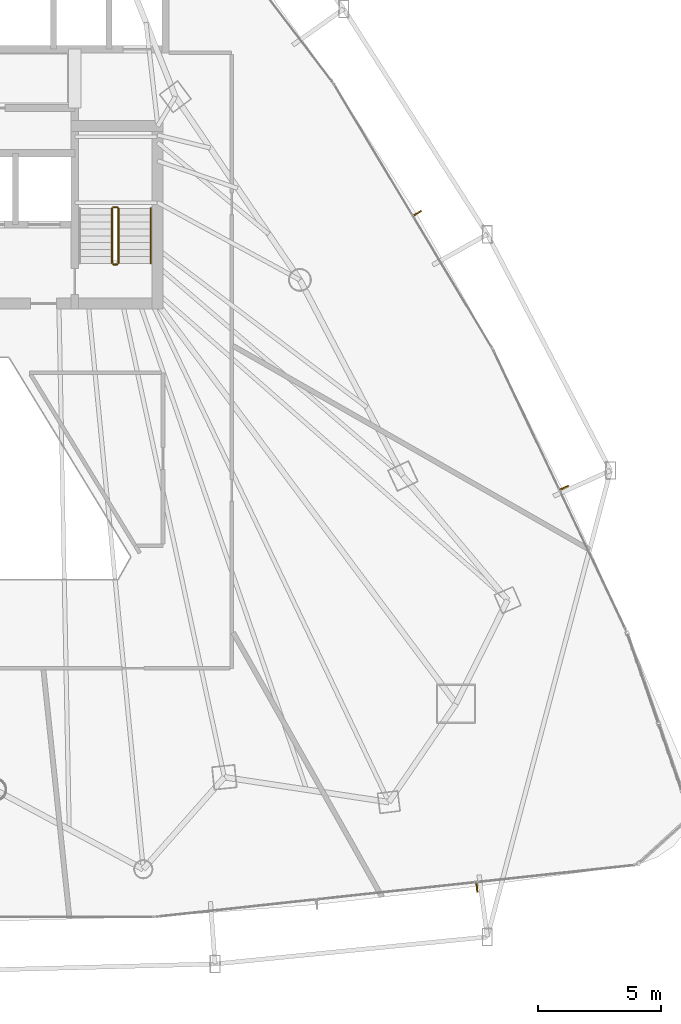
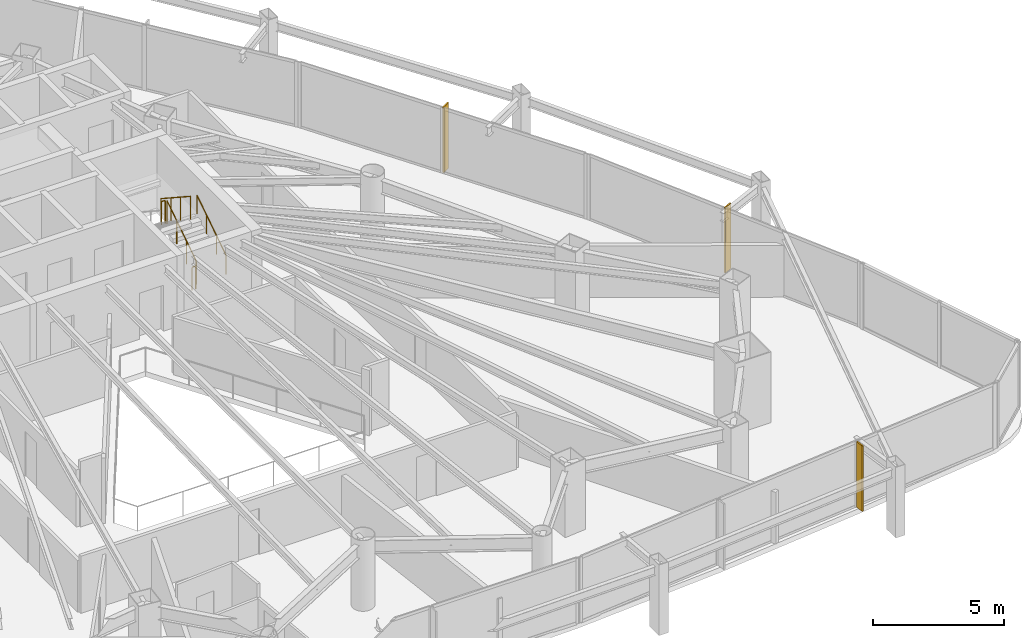
# One storey, part 36 of 37: 5 railings, 3 shading devices.
"""IFC4 building model written with IfcOpenShell, lengths in metres."""

from ifc_helpers import new_model, si_unit, direction, frame, origin, origin_2d, place, context, subcontext, project, spatial, rectangle, circle, extrude, material, layer, layer_set, type_object, element, save


model = new_model("IFC4")

# Units and contexts
model_context = context("Model", 3, precision=1e-05, world=origin(), true_north=direction((0.0, 1.0)))
body_context = subcontext(model_context, "Body", "Model", "MODEL_VIEW")
ifc_project = project(units=[si_unit("LENGTHUNIT", "METRE"), si_unit("AREAUNIT", "SQUARE_METRE"), si_unit("VOLUMEUNIT", "CUBIC_METRE"), si_unit("PLANEANGLEUNIT", "RADIAN"), si_unit("MASSUNIT", "GRAM", prefix="KILO")], contexts=[model_context])

# Site, building, storey
site_placement = place(None, origin())
site = spatial("IfcSite", under=ifc_project, at=site_placement, CompositionType="ELEMENT")
building_placement = place(site_placement, origin())
building = spatial("IfcBuilding", under=site, at=building_placement, Name="Orvanel Arch Residences", CompositionType="ELEMENT")
storey_placement = place(building_placement, frame((0.0, 0.0, 53.300048828125)))
storey = spatial("IfcBuildingStorey", under=building, at=storey_placement, Name="L14", CompositionType="ELEMENT", Elevation=53.300048828125)

# Shading devices
ifc_material_1 = material(Name="Bronze-anodised aluminium AA6063-T6", Category="aluminium")
ifc_layer = layer(ifc_material_1, 0.06005859375)
ifc_layer_set = layer_set([ifc_layer], Name="Bronze-anodised aluminium AA6063-T6")
shading_device_type = type_object("IfcShadingDeviceType", Name="FIN-BRZ-380", PredefinedType="USERDEFINED", material=ifc_layer_set)
for number, where, z_axis, x_axis, name in (
    (1, (52.652099609375, 2.85693359375, 0.0), (0.0, 0.0, 1.0), (0.107999355706, -0.994150963972, 0.0), "L14 Anodised Bronze Mullion FIN 02"),
    (2, (56.219970703125, 19.1630859375, 0.0), (0.0, 0.0, 1.0), (0.903335292863, 0.428935133403, 0.0), "L14 Anodised Bronze Mullion FIN 01"),
    (3, (50.22802734375, 30.362060546875, 0.0), (0.0, 0.0, 1.0), (0.857167300702, 0.51503807491, 0.0), "L14 Anodised Bronze Mullion FIN 01"),
):
    element("IfcShadingDevice", number, at=place(storey_placement, frame(where, z_axis=z_axis, x_axis=x_axis)), inside=storey, type_object=shading_device_type, Name=name, ObjectType="FIN", PredefinedType="USERDEFINED", context=body_context, shape_type="SweptSolid", body=[
        extrude(rectangle(XDim=0.3798828125, YDim=0.06005859375, at=origin_2d()), origin(), (0.0, 0.0, 1.0), 3.06005859375),
    ])

# Railings
ifc_material_2 = material(Name="Structural steel AS/NZS 1163 C350L0 (Grade 350)", Category="steel")
railing_type_1 = type_object("IfcRailingType", Name="RL-STAIR-GUARD", PredefinedType="GUARDRAIL", material=ifc_material_2)
railing_1_placement = place(storey_placement, frame((38.030029296875, 28.320068359375, 0.183349609375)))
element("IfcRailing", 4, at=railing_1_placement, inside=storey, type_object=railing_type_1, Name="L14 ST-2 stair guard 1", PredefinedType="GUARDRAIL", context=body_context, shape_type="SweptSolid", body=[
    extrude(circle(Radius=0.02392578125, at=origin_2d()), frame((0.0, 0.001220703125, 1.076904296875), z_axis=(0.0, 0.836636935527, 0.547757827979), x_axis=(-1.0, 0.0, 0.0)), (0.0, 0.0, 1.0), 2.67431640625),
    extrude(circle(Radius=0.02099609375, at=origin_2d()), origin(), (0.0, 0.0, 1.0), 1.050048828125),
    extrude(circle(Radius=0.02099609375, at=origin_2d()), frame((0.0, 0.74658203125, 0.48876953125)), (0.0, 0.0, 1.0), 1.050048828125),
    extrude(circle(Radius=0.02099609375, at=origin_2d()), frame((0.0, 1.493408203125, 0.977783203125)), (0.0, 0.0, 1.0), 1.050048828125),
    extrude(circle(Radius=0.02099609375, at=origin_2d()), frame((0.0, 2.239990234375, 1.466552734375)), (0.0, 0.0, 1.0), 1.050048828125),
])
railing_2_placement = place(storey_placement, frame((37.97998046875, 30.610107421875, 1.64990234375)))
element("IfcRailing", 5, at=railing_2_placement, inside=storey, type_object=railing_type_1, Name="L14 ST-2 stair guard 2", PredefinedType="GUARDRAIL", context=body_context, shape_type="SweptSolid", body=[
    extrude(circle(Radius=0.02392578125, at=origin_2d()), frame((-0.00146484375, 0.0, 1.076171875), z_axis=(-1.0, 0.0, 0.0), x_axis=(0.0, -1.0, 0.0)), (0.0, 0.0, 1.0), 0.156982421875),
    extrude(circle(Radius=0.02099609375, at=origin_2d()), origin(), (0.0, 0.0, 1.0), 1.050048828125),
    extrude(circle(Radius=0.02099609375, at=origin_2d()), frame((-0.159912109375, 0.0, 0.0)), (0.0, 0.0, 1.0), 1.050048828125),
])
railing_3_placement = place(storey_placement, frame((37.77001953125, 30.56005859375, 1.833251953125)))
element("IfcRailing", 6, at=railing_3_placement, inside=storey, type_object=railing_type_1, Name="L14 ST-2 stair guard 3", PredefinedType="GUARDRAIL", context=body_context, shape_type="SweptSolid", body=[
    extrude(circle(Radius=0.02392578125, at=origin_2d()), frame((0.0, -0.001220703125, 1.076904296875), z_axis=(0.0, -0.836595146698, 0.547821650285), x_axis=(1.0, 0.0, 0.0)), (0.0, 0.0, 1.0), 2.674560546875),
    extrude(circle(Radius=0.02099609375, at=origin_2d()), origin(), (0.0, 0.0, 1.0), 1.050048828125),
    extrude(circle(Radius=0.02099609375, at=origin_2d()), frame((0.0, -0.74658203125, 0.489013671875)), (0.0, 0.0, 1.0), 1.050048828125),
    extrude(circle(Radius=0.02099609375, at=origin_2d()), frame((0.0, -1.493408203125, 0.977783203125)), (0.0, 0.0, 1.0), 1.050048828125),
    extrude(circle(Radius=0.02099609375, at=origin_2d()), frame((0.0, -2.239990234375, 1.466796875)), (0.0, 0.0, 1.0), 1.050048828125),
])
railing_4_placement = place(storey_placement, frame((37.97998046875, 28.27001953125, 0.0)))
element("IfcRailing", 7, at=railing_4_placement, inside=storey, type_object=railing_type_1, Name="L14 ST-2 stair guard 4", PredefinedType="GUARDRAIL", context=body_context, shape_type="SweptSolid", body=[
    extrude(circle(Radius=0.02392578125, at=origin_2d()), frame((-0.00146484375, 0.0, 1.076171875), z_axis=(-1.0, 0.0, 0.0), x_axis=(0.0, -1.0, 0.0)), (0.0, 0.0, 1.0), 0.156982421875),
    extrude(circle(Radius=0.02099609375, at=origin_2d()), origin(), (0.0, 0.0, 1.0), 1.050048828125),
    extrude(circle(Radius=0.02099609375, at=origin_2d()), frame((-0.159912109375, 0.0, 0.0)), (0.0, 0.0, 1.0), 1.050048828125),
])
railing_type_2 = type_object("IfcRailingType", Name="RL-STAIR-HAND", PredefinedType="HANDRAIL", material=ifc_material_2)
railing_5_placement = place(storey_placement, frame((39.35009765625, 28.320068359375, 0.183349609375)))
element("IfcRailing", 8, at=railing_5_placement, inside=storey, type_object=railing_type_2, Name="L14 ST-2 stair handrail 1", PredefinedType="HANDRAIL", context=body_context, shape_type="SweptSolid", body=[
    extrude(circle(Radius=0.02392578125, at=origin_2d()), frame((0.0, 0.001220703125, 0.876708984375), z_axis=(0.0, 0.836636935527, 0.547757827979), x_axis=(-1.0, 0.0, 0.0)), (0.0, 0.0, 1.0), 2.67431640625),
    extrude(circle(Radius=0.02099609375, at=origin_2d()), origin(), (0.0, 0.0, 1.0), 0.849853515625),
    extrude(circle(Radius=0.02099609375, at=origin_2d()), frame((0.0, 0.74658203125, 0.48876953125)), (0.0, 0.0, 1.0), 0.849853515625),
    extrude(circle(Radius=0.02099609375, at=origin_2d()), frame((0.0, 1.493408203125, 0.977783203125)), (0.0, 0.0, 1.0), 0.849853515625),
    extrude(circle(Radius=0.02099609375, at=origin_2d()), frame((0.0, 2.239990234375, 1.466552734375)), (0.0, 0.0, 1.0), 0.849853515625),
])

save(model, "model.ifc")
